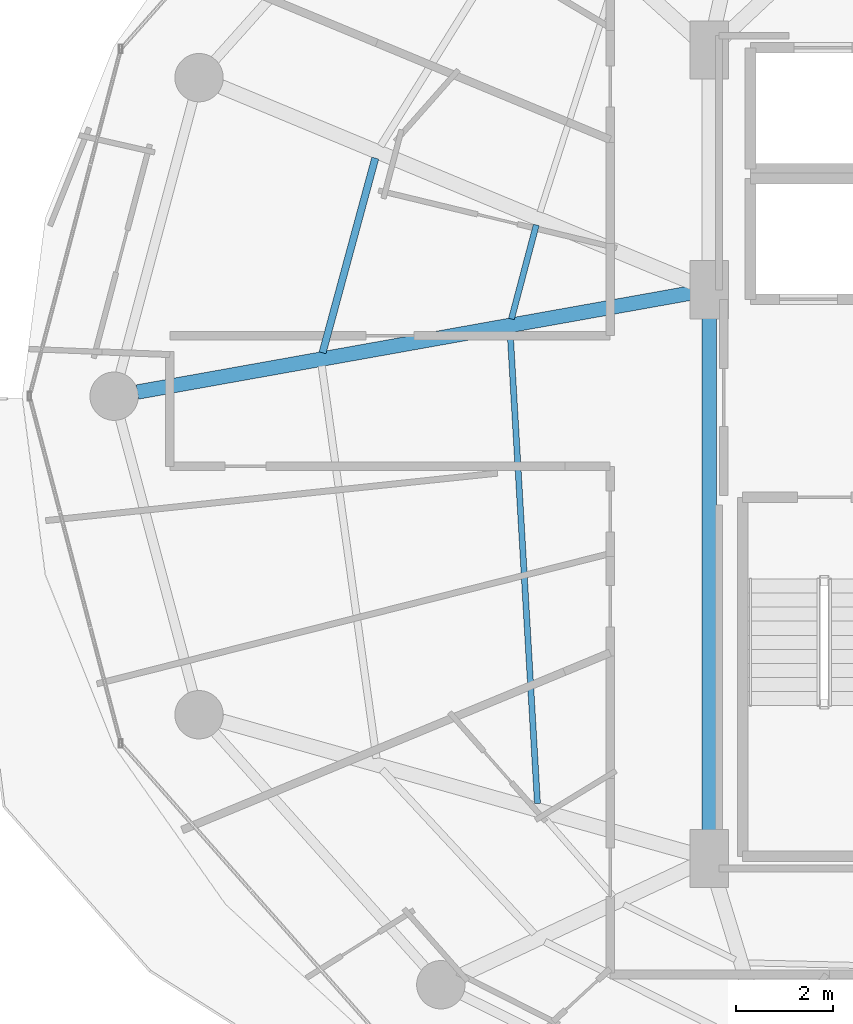
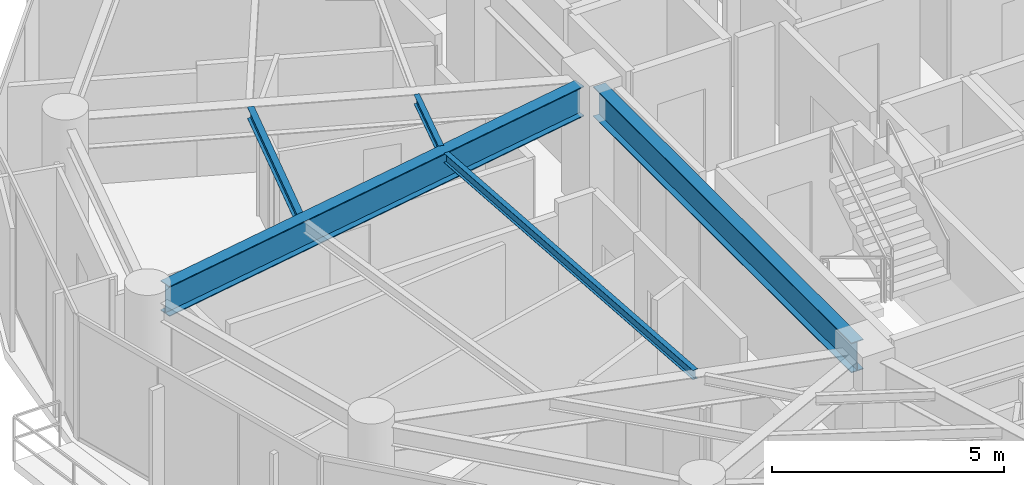
# One storey, part 7 of 28: 5 beams.
"""IFC4 building model written with IfcOpenShell, lengths in metres."""

import ifcopenshell
import ifcopenshell.guid

model = None  # the IFC model being written
_history = None  # IfcOwnerHistory: only IFC2X3 demands one
_inside = {}  # id of a spatial element -> (the spatial element, [elements in it])
_under = {}  # id of a project, library or spatial element -> (it, [spatial elements below it])
_declared = {}  # id of a project -> (the project, [libraries it declares])
_typed = {}  # id of a type object -> (the type object, [elements of that type])
_made_of = {}  # id of a material, layer set ... -> (it, [elements and type objects made of it])


def new_model(schema):
    """Start an empty IFC model of exactly this schema.

    Asked for "IFC4X3", IfcOpenShell would pick the latest addendum, in which some entities
    have other attributes; the version numbers below select the first issue.
    IFC2X3 requires an IfcOwnerHistory on every rooted entity: one is made here for all.
    """
    global model, _history
    if schema == "IFC4X3":
        model = ifcopenshell.file(schema_version=(4, 3, 0, 0))
    else:
        model = ifcopenshell.file(schema=schema)
    _inside.clear()
    _under.clear()
    _declared.clear()
    _typed.clear()
    _made_of.clear()
    _history = None
    if model.schema == "IFC2X3":
        org = make("IfcOrganization", Name="unknown")
        user = make(
            "IfcPersonAndOrganization",
            ThePerson=make("IfcPerson", FamilyName="unknown"),
            TheOrganization=org,
        )
        app = make(
            "IfcApplication",
            ApplicationDeveloper=org,
            Version="unknown",
            ApplicationFullName="unknown",
            ApplicationIdentifier="unknown",
        )
        _history = make(
            "IfcOwnerHistory",
            OwningUser=user,
            OwningApplication=app,
            ChangeAction="ADDED",
            CreationDate=0,
        )
    return model


def make(cls, **values):
    """One entity of the class cls with the attributes given. An attribute that is None is left unset."""
    return model.create_entity(
        cls, **{name: value for name, value in values.items() if value is not None}
    )


def rooted(cls, **values):
    """An entity with a GlobalId (a new one), such as an element, a storey or a relation."""
    return make(cls, GlobalId=ifcopenshell.guid.new(), OwnerHistory=_history, **values)


def si_unit(unit_type, name, prefix=None):
    """IfcSIUnit, for example si_unit("LENGTHUNIT", "METRE", prefix="MILLI")."""
    return make("IfcSIUnit", UnitType=unit_type, Prefix=prefix, Name=name)


def assignment(units):
    """IfcUnitAssignment: the units of a project."""
    return None if units is None else make("IfcUnitAssignment", Units=units)


def point(xyz):
    """IfcCartesianPoint."""
    return None if xyz is None else make("IfcCartesianPoint", Coordinates=xyz)


def direction(xyz):
    """IfcDirection."""
    return None if xyz is None else make("IfcDirection", DirectionRatios=xyz)


def frame(location, z_axis=None, x_axis=None):
    """IfcAxis2Placement3D, a coordinate frame: its origin and axes. An axis left out is left unset."""
    return make(
        "IfcAxis2Placement3D",
        Location=point(location),
        Axis=direction(z_axis),
        RefDirection=direction(x_axis),
    )


def frame_2d(location, x_axis=None):
    """IfcAxis2Placement2D, a coordinate frame in the plane: its origin and x axis."""
    return make(
        "IfcAxis2Placement2D", Location=point(location), RefDirection=direction(x_axis)
    )


def origin():
    """The frame at (0, 0, 0) with its axes left unset."""
    return frame((0.0, 0.0, 0.0))


def origin_2d():
    """The frame at (0, 0) in the plane with its x axis left unset."""
    return frame_2d((0.0, 0.0))


def place(relative_to, where):
    """IfcLocalPlacement: puts the frame where relative to a parent placement (None: the world)."""
    return make(
        "IfcLocalPlacement", PlacementRelTo=relative_to, RelativePlacement=where
    )


def context(
    kind, dimensions, precision=None, world=None, true_north=None, identifier=None
):
    """IfcGeometricRepresentationContext, for example the 3D "Model" context."""
    return make(
        "IfcGeometricRepresentationContext",
        ContextIdentifier=identifier,
        ContextType=kind,
        CoordinateSpaceDimension=dimensions,
        Precision=precision,
        WorldCoordinateSystem=world,
        TrueNorth=true_north,
    )


def subcontext(parent, identifier, kind, view, scale=None):
    """IfcGeometricRepresentationSubContext, for example "Body" below "Model"."""
    return make(
        "IfcGeometricRepresentationSubContext",
        ContextIdentifier=identifier,
        ContextType=kind,
        ParentContext=parent,
        TargetScale=scale,
        TargetView=view,
    )


def project(units=None, contexts=None):
    """IfcProject with its units and contexts."""
    return rooted(
        "IfcProject",
        Name="project",
        RepresentationContexts=contexts,
        UnitsInContext=assignment(units),
    )


def spatial(cls, under=None, at=None, **own):
    """A site, building, storey or space (cls), placed at a placement, below another one or the project."""
    s = rooted(cls, ObjectPlacement=at, **own)
    if under is not None:
        _under.setdefault(under.id(), (under, []))[1].append(s)
    return s


def profile(cls, at=None, kind="AREA", **sizes):
    """A parametric profile (cls). Its sizes go by their IFC names, for example OverallWidth=200.0."""
    return make(cls, ProfileType=kind, Position=at, **sizes)


def i_section(**sizes):
    """IfcIShapeProfileDef."""
    return profile("IfcIShapeProfileDef", **sizes)


def extrude(swept, where, along, depth):
    """IfcExtrudedAreaSolid: the profile swept, set in the frame where, extruded along a direction by depth."""
    return make(
        "IfcExtrudedAreaSolid",
        SweptArea=swept,
        Position=where,
        ExtrudedDirection=direction(along),
        Depth=depth,
    )


def shape(context_of_items, identifier, shape_type, items):
    """IfcShapeRepresentation: the items that make up one representation, for example the "Body"."""
    return make(
        "IfcShapeRepresentation",
        ContextOfItems=context_of_items,
        RepresentationIdentifier=identifier,
        RepresentationType=shape_type,
        Items=items,
    )


def material(Name=None, Category=None):
    """IfcMaterial."""
    return make("IfcMaterial", Name=Name, Category=Category)


def material_profile(
    of_material, cross_section, Name=None, Category=None, Priority=None
):
    """IfcMaterialProfile: a cross section and its material."""
    return make(
        "IfcMaterialProfile",
        Name=Name,
        Material=of_material,
        Profile=cross_section,
        Priority=Priority,
        Category=Category,
    )


def profile_set(profiles, Name=None, composite=None):
    """IfcMaterialProfileSet."""
    return make(
        "IfcMaterialProfileSet",
        Name=Name,
        MaterialProfiles=profiles,
        CompositeProfile=composite,
    )


def made_of(thing, what):
    """Note that an element or type object is made of a material, layer set ...; save() writes the relation."""
    if what is not None:
        _made_of.setdefault(what.id(), (what, []))[1].append(thing)
    return thing


def type_object(cls, material=None, **own):
    """A type object (cls), such as IfcWallType, which elements share."""
    return made_of(rooted(cls, **own), material)


def element(
    cls,
    number,
    at=None,
    inside=None,
    cuts=None,
    type_object=None,
    material=None,
    context=None,
    identifier="Body",
    shape_type=None,
    held_by="IfcProductDefinitionShape",
    body=None,
    shapes=None,
    **own,
):
    """One element of the class cls, such as IfcWall. Its Tag is "e" and its number.

    at: its placement. inside: the storey or other place that contains it. cuts: it is an
    opening in that element (IfcRelVoidsElement). A single representation is given by context,
    identifier, shape_type and body (its items); several are given by shapes. held_by: the class
    of the entity that holds the representations. save() writes the other relations.
    """
    e = rooted(cls, Tag="e%d" % number, ObjectPlacement=at, **own)
    if body is not None:
        shapes = [shape(context, identifier, shape_type, body)]
    if shapes is not None:
        e.Representation = make(held_by, Representations=shapes)
    if inside is not None:
        _inside.setdefault(inside.id(), (inside, []))[1].append(e)
    if cuts is not None:
        rooted(
            "IfcRelVoidsElement", RelatingBuildingElement=cuts, RelatedOpeningElement=e
        )
    if type_object is not None:
        _typed.setdefault(type_object.id(), (type_object, []))[1].append(e)
    return made_of(e, material)


def aggregate(whole, parts):
    """IfcRelAggregates: a whole, such as a stair, and the parts it consists of."""
    return rooted("IfcRelAggregates", RelatingObject=whole, RelatedObjects=parts)


def save(model, path):
    """Write the relations noted so far, then the file.

    IfcRelAggregates (storeys below a building ...), IfcRelContainedInSpatialStructure (elements
    in a storey), IfcRelDefinesByType, IfcRelAssociatesMaterial and IfcRelDeclares: one each for
    every whole, place, type object, material and project.
    """
    for whole, parts in _under.values():
        aggregate(whole, parts)
    for where, things in _inside.values():
        rooted(
            "IfcRelContainedInSpatialStructure",
            RelatedElements=things,
            RelatingStructure=where,
        )
    for kind, things in _typed.values():
        rooted("IfcRelDefinesByType", RelatedObjects=things, RelatingType=kind)
    for what, things in _made_of.values():
        rooted("IfcRelAssociatesMaterial", RelatedObjects=things, RelatingMaterial=what)
    for by, libraries in _declared.values():
        rooted("IfcRelDeclares", RelatingContext=by, RelatedDefinitions=libraries)
    model.write(path)


model = new_model("IFC4")

# Units and contexts
model_context = context("Model", 3, precision=1e-05, world=origin(), true_north=direction((0.0, 1.0)))
body_context = subcontext(model_context, "Body", "Model", "MODEL_VIEW")
ifc_project = project(units=[si_unit("LENGTHUNIT", "METRE"), si_unit("AREAUNIT", "SQUARE_METRE"), si_unit("VOLUMEUNIT", "CUBIC_METRE"), si_unit("PLANEANGLEUNIT", "RADIAN"), si_unit("MASSUNIT", "GRAM", prefix="KILO")], contexts=[model_context])

# Site, building, storey
site_placement = place(None, origin())
site = spatial("IfcSite", under=ifc_project, at=site_placement, CompositionType="ELEMENT")
building_placement = place(site_placement, origin())
building = spatial("IfcBuilding", under=site, at=building_placement, Name="Vorneva Point Tower", CompositionType="ELEMENT")
storey_placement = place(building_placement, frame((0.0, 0.0, 146.60009765625)))
storey = spatial("IfcBuildingStorey", under=building, at=storey_placement, Name="L39", CompositionType="ELEMENT", Elevation=146.60009765625)

# Beams
ifc_material = material(Name="Steel S355", Category="steel")
ifc_material_profile_1 = material_profile(ifc_material, i_section(OverallWidth=0.300048828125, OverallDepth=0.7880859375, WebThickness=0.014404296875, FlangeThickness=0.02197265625, at=origin_2d()), Name="80Sh1")
ifc_profile_set_1 = profile_set([ifc_material_profile_1], Name="Steel S355")
beam_type_1 = type_object("IfcBeamType", Name="BM-GRD-80Sh1", PredefinedType="USERDEFINED", material=ifc_profile_set_1)
beam_1_placement = place(storey_placement, frame((15.430419921875, 26.0859375, 2.845947265625), z_axis=(0.984378132756, 0.176067293249, 0.0), x_axis=(-0.176067293249, 0.984378132756, 0.0)))
element("IfcBeam", 1, at=beam_1_placement, inside=storey, type_object=beam_type_1, Name="L39 Radial Primary Girder 09", ObjectType="GIRDER", PredefinedType="USERDEFINED", context=body_context, shape_type="SweptSolid", body=[
    extrude(i_section(OverallWidth=0.300048828125, OverallDepth=0.7880859375, WebThickness=0.014404296875, FlangeThickness=0.02197265625, at=origin_2d()), origin(), (0.0, 0.0, 1.0), 11.667236328125),
])
beam_2_placement = place(storey_placement, frame((27.25, 16.77001953125, 2.845947265625), z_axis=(0.0, 1.0, 0.0), x_axis=(-1.0, 0.0, 0.0)))
element("IfcBeam", 2, at=beam_2_placement, inside=storey, type_object=beam_type_1, Name="L39 Core Tie Girder CT1", ObjectType="GIRDER", PredefinedType="USERDEFINED", context=body_context, shape_type="SweptSolid", body=[
    extrude(i_section(OverallWidth=0.300048828125, OverallDepth=0.7880859375, WebThickness=0.014404296875, FlangeThickness=0.02197265625, at=origin_2d()), origin(), (0.0, 0.0, 1.0), 11.10986328125),
])
ifc_material_profile_2 = material_profile(ifc_material, i_section(OverallWidth=0.1240234375, OverallDepth=0.248046875, WebThickness=0.0048828125, FlangeThickness=0.008056640625, at=origin_2d()), Name="25B1")
ifc_profile_set_2 = profile_set([ifc_material_profile_2], Name="Steel S355")
beam_type_2 = type_object("IfcBeamType", Name="BM-JST-25B1", PredefinedType="JOIST", material=ifc_profile_set_2)
beam_3_placement = place(storey_placement, frame((23.673095703125, 29.538330078125, 3.115966796875), z_axis=(-0.255181084238, -0.966893279658, 0.0), x_axis=(0.966893279658, -0.255181084238, 0.0)))
element("IfcBeam", 3, at=beam_3_placement, inside=storey, type_object=beam_type_2, Name="L39 Secondary Floor Beam 2.08", PredefinedType="JOIST", context=body_context, shape_type="SweptSolid", body=[
    extrude(i_section(OverallWidth=0.1240234375, OverallDepth=0.248046875, WebThickness=0.0048828125, FlangeThickness=0.008056640625, at=origin_2d()), origin(), (0.0, 0.0, 1.0), 2.009033203125),
])
beam_4_placement = place(storey_placement, frame((23.13330078125, 27.324462890625, 3.115966796875), z_axis=(0.057859390455, -0.998324742224, 0.0), x_axis=(0.998324742224, 0.057859390455, 0.0)))
element("IfcBeam", 4, at=beam_4_placement, inside=storey, type_object=beam_type_2, Name="L39 Secondary Floor Beam 2.09", PredefinedType="JOIST", context=body_context, shape_type="SweptSolid", body=[
    extrude(i_section(OverallWidth=0.1240234375, OverallDepth=0.248046875, WebThickness=0.0048828125, FlangeThickness=0.008056640625, at=origin_2d()), origin(), (0.0, 0.0, 1.0), 9.755615234375),
])
ifc_material_profile_3 = material_profile(ifc_material, i_section(OverallWidth=0.14892578125, OverallDepth=0.298095703125, WebThickness=0.005615234375, FlangeThickness=0.008056640625, at=origin_2d()), Name="30B1")
ifc_profile_set_3 = profile_set([ifc_material_profile_3], Name="Steel S355")
beam_type_3 = type_object("IfcBeamType", Name="BM-JST-30B1", PredefinedType="JOIST", material=ifc_profile_set_3)
beam_5_placement = place(storey_placement, frame((20.3466796875, 30.92041015625, 3.0908203125), z_axis=(-0.2615064173, -0.965201737312, 0.0), x_axis=(0.965201737312, -0.2615064173, 0.0)))
element("IfcBeam", 5, at=beam_5_placement, inside=storey, type_object=beam_type_3, Name="L39 Secondary Floor Beam 1.08", PredefinedType="JOIST", context=body_context, shape_type="SweptSolid", body=[
    extrude(i_section(OverallWidth=0.14892578125, OverallDepth=0.298095703125, WebThickness=0.005615234375, FlangeThickness=0.008056640625, at=origin_2d()), origin(), (0.0, 0.0, 1.0), 4.16845703125),
])

save(model, "model.ifc")
